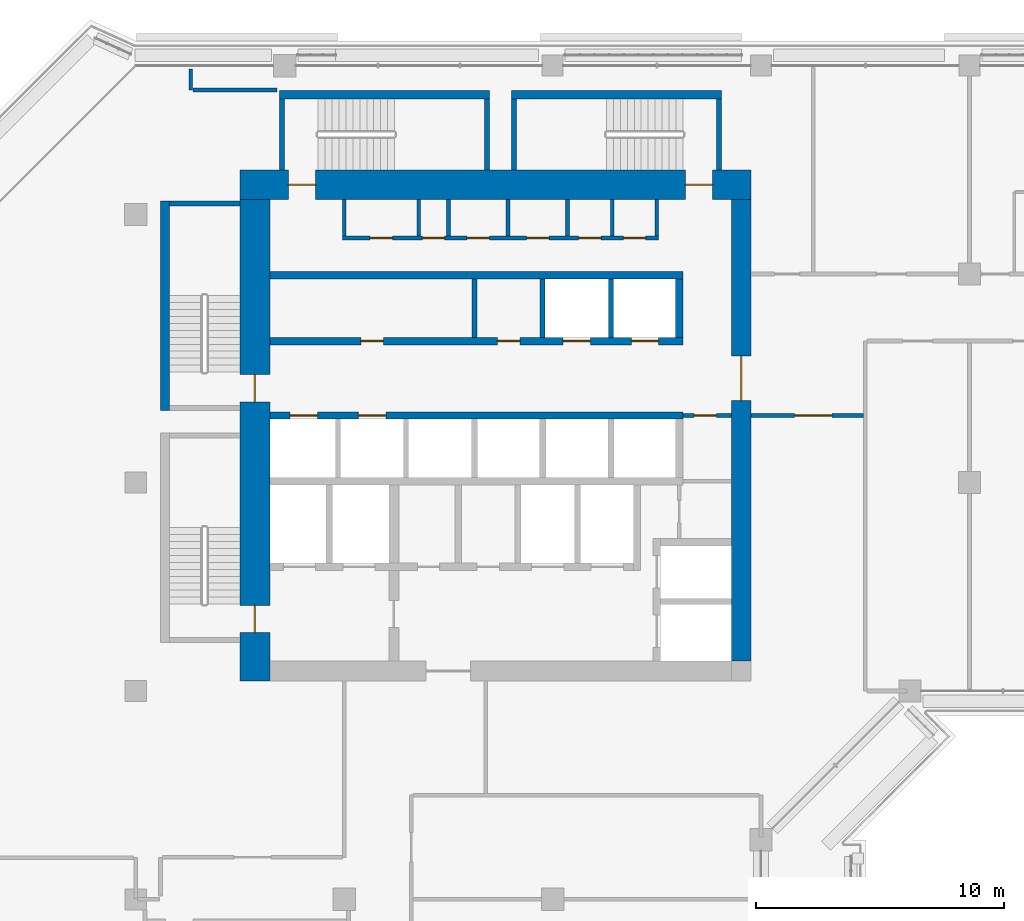
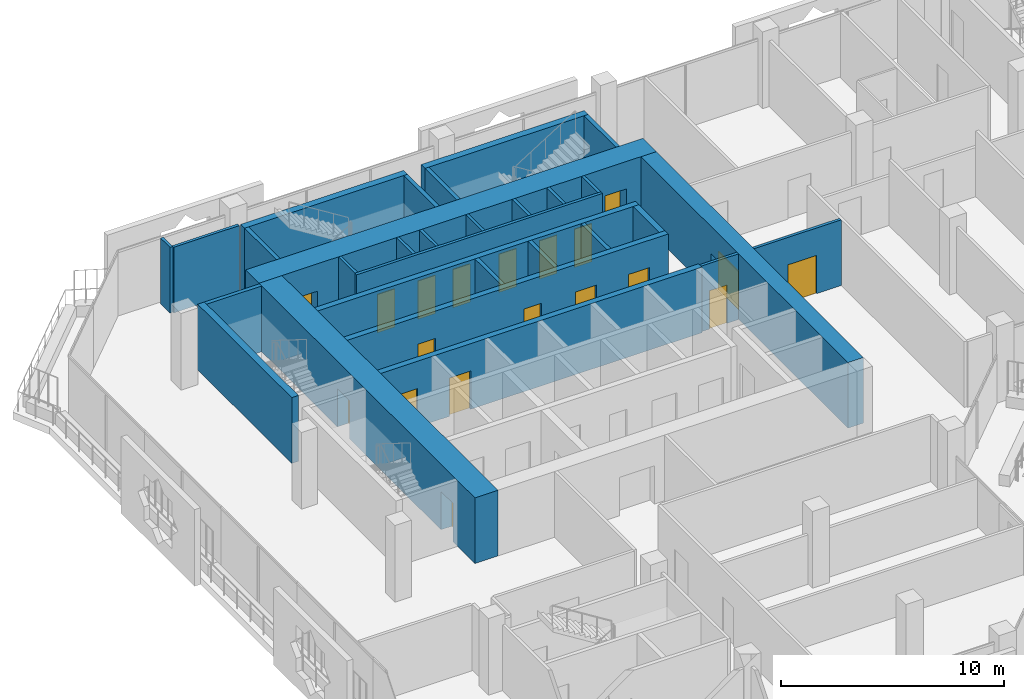
# One storey, part 11 of 20: 30 walls, 19 doors, 19 openings.
"""IFC4 building model written with IfcOpenShell, lengths in metres."""

from ifc_helpers import new_model, si_unit, direction, frame, frame_2d, origin, place, context, subcontext, project, spatial, rectangle, extrude, material, layer, layer_set, type_object, element, fill, save


model = new_model("IFC4")

# Units and contexts
model_context = context("Model", 3, precision=1e-05, world=origin(), true_north=direction((0.0, 1.0)))
body_context = subcontext(model_context, "Body", "Model", "MODEL_VIEW")
ifc_project = project(units=[si_unit("LENGTHUNIT", "METRE"), si_unit("AREAUNIT", "SQUARE_METRE"), si_unit("VOLUMEUNIT", "CUBIC_METRE"), si_unit("PLANEANGLEUNIT", "RADIAN"), si_unit("MASSUNIT", "GRAM", prefix="KILO")], contexts=[model_context])

# Site, building, storey
site_placement = place(None, origin())
site = spatial("IfcSite", under=ifc_project, at=site_placement, CompositionType="ELEMENT")
building_placement = place(site_placement, origin())
building = spatial("IfcBuilding", under=site, at=building_placement, Name="Kawkab Arch Medical Tower", CompositionType="ELEMENT")
storey_placement = place(building_placement, frame((0.0, 0.0, 239.0)))
storey = spatial("IfcBuildingStorey", under=building, at=storey_placement, Name="L55", CompositionType="ELEMENT", Elevation=239.0)

# Wall, openings, doors
ifc_material_1 = material(Name="Concrete C50/60", Category="concrete")
ifc_layer_1 = layer(ifc_material_1, 1.199951171875)
ifc_layer_set_1 = layer_set([ifc_layer_1], Name="Concrete C50/60")
wall_type_1 = type_object("IfcWallType", Name="Core ring wall 1200 C50/60", PredefinedType="SHEAR", material=ifc_layer_set_1)
wall_1_placement = place(storey_placement, frame((4.199951171875, -4.800048828125, 0.0), z_axis=(0.0, 0.0, 1.0), x_axis=(1.0, 0.0, 0.0)))
wall_1 = element("IfcWall", 1, at=wall_1_placement, inside=storey, type_object=wall_type_1, Name="L55 core wall", PredefinedType="SHEAR", context=body_context, shape_type="SweptSolid", body=[
    extrude(rectangle(XDim=20.60009765625, YDim=1.199951171875, at=frame_2d((10.300048828125, 0.0))), origin(), (0.0, 0.0, 1.0), 3.60009765625),
])
opening_1_placement = place(wall_1_placement, frame((1.949951171875, 0.0, 0.0)))
opening_1 = element("IfcOpeningElement", 2, at=opening_1_placement, cuts=wall_1, Name="Opening SD", PredefinedType="OPENING", context=body_context, shape_type="SweptSolid", body=[
    extrude(rectangle(XDim=1.10009765625, YDim=2.10009765625, at=frame_2d((0.550048828125, 1.050048828125))), frame((0.0, 0.60986328125, 0.0), z_axis=(0.0, -1.0, 0.0), x_axis=(1.0, 0.0, 0.0)), (0.0, 0.0, 1.0), 1.219970703125),
])
opening_2_placement = place(wall_1_placement, frame((17.949951171875, 0.0, 0.0)))
opening_2 = element("IfcOpeningElement", 3, at=opening_2_placement, cuts=wall_1, Name="Opening SD", PredefinedType="OPENING", context=body_context, shape_type="SweptSolid", body=[
    extrude(rectangle(XDim=1.10009765625, YDim=2.10009765625, at=frame_2d((0.550048828125, 1.050048828125))), frame((0.0, 0.60986328125, 0.0), z_axis=(0.0, -1.0, 0.0), x_axis=(1.0, 0.0, 0.0)), (0.0, 0.0, 1.0), 1.219970703125),
])
ifc_material_2 = material(Name="Hollow metal fire door leaf")
door_type_1 = type_object("IfcDoorType", Name="Exit stair door 1100", OperationType="SINGLE_SWING_LEFT", PredefinedType="DOOR", material=ifc_material_2)
door_1_placement = place(opening_1_placement, origin())
door_1 = element("IfcDoor", 4, at=door_1_placement, inside=storey, type_object=door_type_1, Name="L55 Exit stair ST3 door", OperationType="SINGLE_SWING_LEFT", OverallHeight=2.10009765625, OverallWidth=1.10009765625, PredefinedType="DOOR", context=body_context, shape_type="SweptSolid", body=[
    extrude(rectangle(XDim=1.10009765625, YDim=2.10009765625, at=frame_2d((0.550048828125, 1.050048828125))), frame((0.0, 0.02490234375, 0.0), z_axis=(0.0, -1.0, 0.0), x_axis=(1.0, 0.0, 0.0)), (0.0, 0.0, 1.0), 0.050048828125),
])
fill(opening_1, door_1)
door_2_placement = place(opening_2_placement, origin())
door_2 = element("IfcDoor", 5, at=door_2_placement, inside=storey, type_object=door_type_1, Name="L55 Exit stair ST4 door", OperationType="SINGLE_SWING_LEFT", OverallHeight=2.10009765625, OverallWidth=1.10009765625, PredefinedType="DOOR", context=body_context, shape_type="SweptSolid", body=[
    extrude(rectangle(XDim=1.10009765625, YDim=2.10009765625, at=frame_2d((0.550048828125, 1.050048828125))), frame((0.0, 0.02490234375, 0.0), z_axis=(0.0, -1.0, 0.0), x_axis=(1.0, 0.0, 0.0)), (0.0, 0.0, 1.0), 0.050048828125),
])
fill(opening_2, door_2)

wall_2_placement = place(storey_placement, frame((4.800048828125, -24.800048828125, 0.0), z_axis=(0.0, 0.0, 1.0), x_axis=(0.0, 1.0, 0.0)))
wall_2 = element("IfcWall", 6, at=wall_2_placement, inside=storey, type_object=wall_type_1, Name="L55 core wall", PredefinedType="SHEAR", context=body_context, shape_type="SweptSolid", body=[
    extrude(rectangle(XDim=19.400146484375, YDim=1.199951171875, at=frame_2d((9.7001953125, 0.0))), origin(), (0.0, 0.0, 1.0), 3.60009765625),
])
opening_3_placement = place(wall_2_placement, frame((11.25, 0.0, 0.0)))
opening_3 = element("IfcOpeningElement", 7, at=opening_3_placement, cuts=wall_2, Name="Opening SD", PredefinedType="OPENING", context=body_context, shape_type="SweptSolid", body=[
    extrude(rectangle(XDim=1.10009765625, YDim=2.10009765625, at=frame_2d((0.550048828125, 1.050048828125))), frame((0.0, 0.60986328125, 0.0), z_axis=(0.0, -1.0, 0.0), x_axis=(1.0, 0.0, 0.0)), (0.0, 0.0, 1.0), 1.219970703125),
])
opening_4_placement = place(wall_2_placement, frame((1.949951171875, 0.0, 0.0)))
opening_4 = element("IfcOpeningElement", 8, at=opening_4_placement, cuts=wall_2, Name="Opening SD", PredefinedType="OPENING", context=body_context, shape_type="SweptSolid", body=[
    extrude(rectangle(XDim=1.10009765625, YDim=2.10009765625, at=frame_2d((0.550048828125, 1.050048828125))), frame((0.0, 0.60986328125, 0.0), z_axis=(0.0, -1.0, 0.0), x_axis=(1.0, 0.0, 0.0)), (0.0, 0.0, 1.0), 1.219970703125),
])
door_3_placement = place(opening_3_placement, origin())
door_3 = element("IfcDoor", 9, at=door_3_placement, inside=storey, type_object=door_type_1, Name="L55 Exit stair ST1 door", OperationType="SINGLE_SWING_LEFT", OverallHeight=2.10009765625, OverallWidth=1.10009765625, PredefinedType="DOOR", context=body_context, shape_type="SweptSolid", body=[
    extrude(rectangle(XDim=1.10009765625, YDim=2.10009765625, at=frame_2d((0.550048828125, 1.050048828125))), frame((0.0, 0.02490234375, 0.0), z_axis=(0.0, -1.0, 0.0), x_axis=(1.0, 0.0, 0.0)), (0.0, 0.0, 1.0), 0.050048828125),
])
fill(opening_3, door_3)
door_4_placement = place(opening_4_placement, origin())
door_4 = element("IfcDoor", 10, at=door_4_placement, inside=storey, type_object=door_type_1, Name="L55 Exit stair ST2 door", OperationType="SINGLE_SWING_LEFT", OverallHeight=2.10009765625, OverallWidth=1.10009765625, PredefinedType="DOOR", context=body_context, shape_type="SweptSolid", body=[
    extrude(rectangle(XDim=1.10009765625, YDim=2.10009765625, at=frame_2d((0.550048828125, 1.050048828125))), frame((0.0, 0.02490234375, 0.0), z_axis=(0.0, -1.0, 0.0), x_axis=(1.0, 0.0, 0.0)), (0.0, 0.0, 1.0), 0.050048828125),
])
fill(opening_4, door_4)

# Wall, opening, door
ifc_material_3 = material(Name="Concrete C50/60", Category="concrete")
ifc_layer_2 = layer(ifc_material_3, 0.800048828125)
ifc_layer_set_2 = layer_set([ifc_layer_2], Name="Concrete C50/60")
wall_type_2 = type_object("IfcWallType", Name="Core ring wall 800 C50/60", PredefinedType="SHEAR", material=ifc_layer_set_2)
wall_3_placement = place(storey_placement, frame((24.39990234375, -24.0, 0.0), z_axis=(0.0, 0.0, 1.0), x_axis=(0.0, 1.0, 0.0)))
wall_3 = element("IfcWall", 11, at=wall_3_placement, inside=storey, type_object=wall_type_2, Name="L55 core wall", PredefinedType="SHEAR", context=body_context, shape_type="SweptSolid", body=[
    extrude(rectangle(XDim=18.60009765625, YDim=0.800048828125, at=frame_2d((9.300048828125, 0.0))), origin(), (0.0, 0.0, 1.0), 3.60009765625),
])
opening_5_placement = place(wall_3_placement, frame((10.5, 0.0, 0.0)))
opening_5 = element("IfcOpeningElement", 12, at=opening_5_placement, cuts=wall_3, Name="Opening PD", PredefinedType="OPENING", context=body_context, shape_type="SweptSolid", body=[
    extrude(rectangle(XDim=1.800048828125, YDim=2.10009765625, at=frame_2d((0.89990234375, 1.050048828125))), frame((0.0, 0.409912109375, 0.0), z_axis=(0.0, -1.0, 0.0), x_axis=(1.0, 0.0, 0.0)), (0.0, 0.0, 1.0), 0.820068359375),
])
ifc_material_4 = material(Name="Hollow metal fire door leaf")
door_type_2 = type_object("IfcDoorType", Name="Core entrance doors 1800", OperationType="DOUBLE_DOOR_SINGLE_SWING", PredefinedType="DOOR", material=ifc_material_4)
door_5_placement = place(opening_5_placement, origin())
door_5 = element("IfcDoor", 13, at=door_5_placement, inside=storey, type_object=door_type_2, Name="L55 East entrance doors", OperationType="DOUBLE_DOOR_SINGLE_SWING", OverallHeight=2.10009765625, OverallWidth=1.800048828125, PredefinedType="DOOR", context=body_context, shape_type="SweptSolid", body=[
    extrude(rectangle(XDim=1.800048828125, YDim=2.10009765625, at=frame_2d((0.89990234375, 1.050048828125))), frame((0.0, 0.02490234375, 0.0), z_axis=(0.0, -1.0, 0.0), x_axis=(1.0, 0.0, 0.0)), (0.0, 0.0, 1.0), 0.050048828125),
])
fill(opening_5, door_5)

ifc_material_5 = material(Name="Gypsum board on steel studs", Category="steel")
ifc_layer_3 = layer(ifc_material_5, 0.14990234375)
ifc_layer_set_3 = layer_set([ifc_layer_3], Name="Gypsum board on steel studs")
wall_type_3 = type_object("IfcWallType", Name="Core room partition 150", PredefinedType="PARTITIONING", material=ifc_layer_set_3)
wall_4_placement = place(storey_placement, frame((22.050048828125, -14.10009765625, 0.0), z_axis=(0.0, 0.0, 1.0), x_axis=(1.0, 0.0, 0.0)))
wall_4 = element("IfcWall", 14, at=wall_4_placement, inside=storey, type_object=wall_type_3, Name="L55 core room partition", PredefinedType="PARTITIONING", context=body_context, shape_type="SweptSolid", body=[
    extrude(rectangle(XDim=1.949951171875, YDim=0.14990234375, at=frame_2d((0.97509765625, 0.0))), origin(), (0.0, 0.0, 1.0), 3.60009765625),
])
opening_6_placement = place(wall_4_placement, frame((0.449951171875, 0.0, 0.0)))
opening_6 = element("IfcOpeningElement", 15, at=opening_6_placement, cuts=wall_4, Name="Opening RD", PredefinedType="OPENING", context=body_context, shape_type="SweptSolid", body=[
    extrude(rectangle(XDim=0.89990234375, YDim=2.10009765625, at=frame_2d((0.449951171875, 1.050048828125))), frame((0.0, 0.0849609375, 0.0), z_axis=(0.0, -1.0, 0.0), x_axis=(1.0, 0.0, 0.0)), (0.0, 0.0, 1.0), 0.169921875),
])
ifc_material_6 = material(Name="Hollow metal fire door leaf")
door_type_3 = type_object("IfcDoorType", Name="Core room door 900", OperationType="SINGLE_SWING_LEFT", PredefinedType="DOOR", material=ifc_material_6)
door_6_placement = place(opening_6_placement, origin())
door_6 = element("IfcDoor", 16, at=door_6_placement, inside=storey, type_object=door_type_3, Name="L55 Equipment store door", OperationType="SINGLE_SWING_LEFT", OverallHeight=2.10009765625, OverallWidth=0.89990234375, PredefinedType="DOOR", context=body_context, shape_type="SweptSolid", body=[
    extrude(rectangle(XDim=0.89990234375, YDim=2.10009765625, at=frame_2d((0.449951171875, 1.050048828125))), frame((0.0, 0.02490234375, 0.0), z_axis=(0.0, -1.0, 0.0), x_axis=(1.0, 0.0, 0.0)), (0.0, 0.0, 1.0), 0.050048828125),
])
fill(opening_6, door_6)

# Wall, openings, doors
wall_5_placement = place(storey_placement, frame((8.324951171875, -6.949951171875, 0.0), z_axis=(0.0, 0.0, 1.0), x_axis=(1.0, 0.0, 0.0)))
wall_5 = element("IfcWall", 17, at=wall_5_placement, inside=storey, type_object=wall_type_3, Name="L55 core room partition", PredefinedType="PARTITIONING", context=body_context, shape_type="SweptSolid", body=[
    extrude(rectangle(XDim=12.75, YDim=0.14990234375, at=frame_2d((6.375, 0.0))), origin(), (0.0, 0.0, 1.0), 3.60009765625),
])
opening_7_placement = place(wall_5_placement, frame((1.125, 0.0, 0.0)))
opening_7 = element("IfcOpeningElement", 18, at=opening_7_placement, cuts=wall_5, Name="Opening RD", PredefinedType="OPENING", context=body_context, shape_type="SweptSolid", body=[
    extrude(rectangle(XDim=0.89990234375, YDim=2.10009765625, at=frame_2d((0.449951171875, 1.050048828125))), frame((0.0, 0.0849609375, 0.0), z_axis=(0.0, -1.0, 0.0), x_axis=(1.0, 0.0, 0.0)), (0.0, 0.0, 1.0), 0.169921875),
])
opening_8_placement = place(wall_5_placement, frame((3.22509765625, 0.0, 0.0)))
opening_8 = element("IfcOpeningElement", 19, at=opening_8_placement, cuts=wall_5, Name="Opening RD", PredefinedType="OPENING", context=body_context, shape_type="SweptSolid", body=[
    extrude(rectangle(XDim=0.89990234375, YDim=2.10009765625, at=frame_2d((0.449951171875, 1.050048828125))), frame((0.0, 0.0849609375, 0.0), z_axis=(0.0, -1.0, 0.0), x_axis=(1.0, 0.0, 0.0)), (0.0, 0.0, 1.0), 0.169921875),
])
opening_9_placement = place(wall_5_placement, frame((5.02490234375, 0.0, 0.0)))
opening_9 = element("IfcOpeningElement", 20, at=opening_9_placement, cuts=wall_5, Name="Opening RD", PredefinedType="OPENING", context=body_context, shape_type="SweptSolid", body=[
    extrude(rectangle(XDim=0.89990234375, YDim=2.10009765625, at=frame_2d((0.449951171875, 1.050048828125))), frame((0.0, 0.0849609375, 0.0), z_axis=(0.0, -1.0, 0.0), x_axis=(1.0, 0.0, 0.0)), (0.0, 0.0, 1.0), 0.169921875),
])
opening_10_placement = place(wall_5_placement, frame((7.425048828125, 0.0, 0.0)))
opening_10 = element("IfcOpeningElement", 21, at=opening_10_placement, cuts=wall_5, Name="Opening RD", PredefinedType="OPENING", context=body_context, shape_type="SweptSolid", body=[
    extrude(rectangle(XDim=0.89990234375, YDim=2.10009765625, at=frame_2d((0.449951171875, 1.050048828125))), frame((0.0, 0.0849609375, 0.0), z_axis=(0.0, -1.0, 0.0), x_axis=(1.0, 0.0, 0.0)), (0.0, 0.0, 1.0), 0.169921875),
])
opening_11_placement = place(wall_5_placement, frame((9.52490234375, 0.0, 0.0)))
opening_11 = element("IfcOpeningElement", 22, at=opening_11_placement, cuts=wall_5, Name="Opening RD", PredefinedType="OPENING", context=body_context, shape_type="SweptSolid", body=[
    extrude(rectangle(XDim=0.89990234375, YDim=2.10009765625, at=frame_2d((0.449951171875, 1.050048828125))), frame((0.0, 0.0849609375, 0.0), z_axis=(0.0, -1.0, 0.0), x_axis=(1.0, 0.0, 0.0)), (0.0, 0.0, 1.0), 0.169921875),
])
opening_12_placement = place(wall_5_placement, frame((11.324951171875, 0.0, 0.0)))
opening_12 = element("IfcOpeningElement", 23, at=opening_12_placement, cuts=wall_5, Name="Opening RD", PredefinedType="OPENING", context=body_context, shape_type="SweptSolid", body=[
    extrude(rectangle(XDim=0.89990234375, YDim=2.10009765625, at=frame_2d((0.449951171875, 1.050048828125))), frame((0.0, 0.0849609375, 0.0), z_axis=(0.0, -1.0, 0.0), x_axis=(1.0, 0.0, 0.0)), (0.0, 0.0, 1.0), 0.169921875),
])
door_7_placement = place(opening_7_placement, origin())
door_7 = element("IfcDoor", 24, at=door_7_placement, inside=storey, type_object=door_type_3, Name="L55 General store door", OperationType="SINGLE_SWING_LEFT", OverallHeight=2.10009765625, OverallWidth=0.89990234375, PredefinedType="DOOR", context=body_context, shape_type="SweptSolid", body=[
    extrude(rectangle(XDim=0.89990234375, YDim=2.10009765625, at=frame_2d((0.449951171875, 1.050048828125))), frame((0.0, 0.02490234375, 0.0), z_axis=(0.0, -1.0, 0.0), x_axis=(1.0, 0.0, 0.0)), (0.0, 0.0, 1.0), 0.050048828125),
])
fill(opening_7, door_7)
door_8_placement = place(opening_8_placement, origin())
door_8 = element("IfcDoor", 25, at=door_8_placement, inside=storey, type_object=door_type_3, Name="L55 Electrical riser room door", OperationType="SINGLE_SWING_LEFT", OverallHeight=2.10009765625, OverallWidth=0.89990234375, PredefinedType="DOOR", context=body_context, shape_type="SweptSolid", body=[
    extrude(rectangle(XDim=0.89990234375, YDim=2.10009765625, at=frame_2d((0.449951171875, 1.050048828125))), frame((0.0, 0.02490234375, 0.0), z_axis=(0.0, -1.0, 0.0), x_axis=(1.0, 0.0, 0.0)), (0.0, 0.0, 1.0), 0.050048828125),
])
fill(opening_8, door_8)
door_9_placement = place(opening_9_placement, origin())
door_9 = element("IfcDoor", 26, at=door_9_placement, inside=storey, type_object=door_type_3, Name="L55 Housekeeping store door", OperationType="SINGLE_SWING_LEFT", OverallHeight=2.10009765625, OverallWidth=0.89990234375, PredefinedType="DOOR", context=body_context, shape_type="SweptSolid", body=[
    extrude(rectangle(XDim=0.89990234375, YDim=2.10009765625, at=frame_2d((0.449951171875, 1.050048828125))), frame((0.0, 0.02490234375, 0.0), z_axis=(0.0, -1.0, 0.0), x_axis=(1.0, 0.0, 0.0)), (0.0, 0.0, 1.0), 0.050048828125),
])
fill(opening_9, door_9)
door_10_placement = place(opening_10_placement, origin())
door_10 = element("IfcDoor", 27, at=door_10_placement, inside=storey, type_object=door_type_3, Name="L55 UPS room door", OperationType="SINGLE_SWING_LEFT", OverallHeight=2.10009765625, OverallWidth=0.89990234375, PredefinedType="DOOR", context=body_context, shape_type="SweptSolid", body=[
    extrude(rectangle(XDim=0.89990234375, YDim=2.10009765625, at=frame_2d((0.449951171875, 1.050048828125))), frame((0.0, 0.02490234375, 0.0), z_axis=(0.0, -1.0, 0.0), x_axis=(1.0, 0.0, 0.0)), (0.0, 0.0, 1.0), 0.050048828125),
])
fill(opening_10, door_10)
door_11_placement = place(opening_11_placement, origin())
door_11 = element("IfcDoor", 28, at=door_11_placement, inside=storey, type_object=door_type_3, Name="L55 Comms room door", OperationType="SINGLE_SWING_LEFT", OverallHeight=2.10009765625, OverallWidth=0.89990234375, PredefinedType="DOOR", context=body_context, shape_type="SweptSolid", body=[
    extrude(rectangle(XDim=0.89990234375, YDim=2.10009765625, at=frame_2d((0.449951171875, 1.050048828125))), frame((0.0, 0.02490234375, 0.0), z_axis=(0.0, -1.0, 0.0), x_axis=(1.0, 0.0, 0.0)), (0.0, 0.0, 1.0), 0.050048828125),
])
fill(opening_11, door_11)
door_12_placement = place(opening_12_placement, origin())
door_12 = element("IfcDoor", 29, at=door_12_placement, inside=storey, type_object=door_type_3, Name="L55 Electrical riser room door", OperationType="SINGLE_SWING_LEFT", OverallHeight=2.10009765625, OverallWidth=0.89990234375, PredefinedType="DOOR", context=body_context, shape_type="SweptSolid", body=[
    extrude(rectangle(XDim=0.89990234375, YDim=2.10009765625, at=frame_2d((0.449951171875, 1.050048828125))), frame((0.0, 0.02490234375, 0.0), z_axis=(0.0, -1.0, 0.0), x_axis=(1.0, 0.0, 0.0)), (0.0, 0.0, 1.0), 0.050048828125),
])
fill(opening_12, door_12)

# Walls
for number, where, z_axis, x_axis, name in (
    (30, (8.39990234375, -6.875, 0.0), (0.0, 0.0, 1.0), (0.0, 1.0, 0.0), "L55 core room partition"),
    (31, (11.39990234375, -6.875, 0.0), (0.0, 0.0, 1.0), (0.0, 1.0, 0.0), "L55 core room partition"),
    (32, (12.60009765625, -6.875, 0.0), (0.0, 0.0, 1.0), (0.0, 1.0, 0.0), "L55 core room partition"),
    (33, (15.0, -6.875, 0.0), (0.0, 0.0, 1.0), (0.0, 1.0, 0.0), "L55 core room partition"),
    (34, (17.39990234375, -6.875, 0.0), (0.0, 0.0, 1.0), (0.0, 1.0, 0.0), "L55 core room partition"),
    (35, (19.199951171875, -6.875, 0.0), (0.0, 0.0, 1.0), (0.0, 1.0, 0.0), "L55 core room partition"),
    (36, (21.0, -6.875, 0.0), (0.0, 0.0, 1.0), (0.0, 1.0, 0.0), "L55 core room partition"),
):
    element("IfcWall", number, at=place(storey_placement, frame(where, z_axis=z_axis, x_axis=x_axis)), inside=storey, type_object=wall_type_3, Name=name, PredefinedType="PARTITIONING", context=body_context, shape_type="SweptSolid", body=[
        extrude(rectangle(XDim=1.47509765625, YDim=0.14990234375, at=frame_2d((0.737548828125, 0.0))), origin(), (0.0, 0.0, 1.0), 3.60009765625),
    ])
ifc_material_7 = material(Name="Concrete C60/75", Category="concrete")
ifc_layer_4 = layer(ifc_material_7, 0.300048828125)
ifc_layer_set_4 = layer_set([ifc_layer_4], Name="Concrete C60/75")
wall_type_4 = type_object("IfcWallType", Name="Core shear wall 300 C60/75", PredefinedType="SHEAR", material=ifc_layer_set_4)
wall_6_placement = place(storey_placement, frame((5.39990234375, -8.449951171875, 0.0), z_axis=(0.0, 0.0, 1.0), x_axis=(1.0, 0.0, 0.0)))
element("IfcWall", 37, at=wall_6_placement, inside=storey, type_object=wall_type_4, Name="L55 core shear wall", PredefinedType="SHEAR", context=body_context, shape_type="SweptSolid", body=[
    extrude(rectangle(XDim=16.650146484375, YDim=0.300048828125, at=frame_2d((8.3251953125, 0.0))), origin(), (0.0, 0.0, 1.0), 3.60009765625),
])

# Wall, openings, doors
wall_7_placement = place(storey_placement, frame((5.39990234375, -11.10009765625, 0.0), z_axis=(0.0, 0.0, 1.0), x_axis=(1.0, 0.0, 0.0)))
wall_7 = element("IfcWall", 38, at=wall_7_placement, inside=storey, type_object=wall_type_4, Name="L55 core shear wall", PredefinedType="SHEAR", context=body_context, shape_type="SweptSolid", body=[
    extrude(rectangle(XDim=16.650146484375, YDim=0.300048828125, at=frame_2d((8.3251953125, 0.0))), origin(), (0.0, 0.0, 1.0), 3.60009765625),
])
opening_13_placement = place(wall_7_placement, frame((11.824951171875, 0.0, 0.0)))
opening_13 = element("IfcOpeningElement", 39, at=opening_13_placement, cuts=wall_7, Name="Opening LD1", PredefinedType="OPENING", context=body_context, shape_type="SweptSolid", body=[
    extrude(rectangle(XDim=1.10009765625, YDim=2.10009765625, at=frame_2d((0.550048828125, 1.050048828125))), frame((0.0, 0.159912109375, 0.0), z_axis=(0.0, -1.0, 0.0), x_axis=(1.0, 0.0, 0.0)), (0.0, 0.0, 1.0), 0.320068359375),
])
opening_14_placement = place(wall_7_placement, frame((14.574951171875, 0.0, 0.0)))
opening_14 = element("IfcOpeningElement", 40, at=opening_14_placement, cuts=wall_7, Name="Opening LD1", PredefinedType="OPENING", context=body_context, shape_type="SweptSolid", body=[
    extrude(rectangle(XDim=1.10009765625, YDim=2.10009765625, at=frame_2d((0.550048828125, 1.050048828125))), frame((0.0, 0.159912109375, 0.0), z_axis=(0.0, -1.0, 0.0), x_axis=(1.0, 0.0, 0.0)), (0.0, 0.0, 1.0), 0.320068359375),
])
opening_15_placement = place(wall_7_placement, frame((3.675048828125, 0.0, 0.0)))
opening_15 = element("IfcOpeningElement", 41, at=opening_15_placement, cuts=wall_7, Name="Opening RD", PredefinedType="OPENING", context=body_context, shape_type="SweptSolid", body=[
    extrude(rectangle(XDim=0.89990234375, YDim=2.10009765625, at=frame_2d((0.449951171875, 1.050048828125))), frame((0.0, 0.159912109375, 0.0), z_axis=(0.0, -1.0, 0.0), x_axis=(1.0, 0.0, 0.0)), (0.0, 0.0, 1.0), 0.320068359375),
])
opening_16_placement = place(wall_7_placement, frame((9.175048828125, 0.0, 0.0)))
opening_16 = element("IfcOpeningElement", 42, at=opening_16_placement, cuts=wall_7, Name="Opening RD", PredefinedType="OPENING", context=body_context, shape_type="SweptSolid", body=[
    extrude(rectangle(XDim=0.89990234375, YDim=2.10009765625, at=frame_2d((0.449951171875, 1.050048828125))), frame((0.0, 0.159912109375, 0.0), z_axis=(0.0, -1.0, 0.0), x_axis=(1.0, 0.0, 0.0)), (0.0, 0.0, 1.0), 0.320068359375),
])
door_13_placement = place(opening_15_placement, origin())
door_13 = element("IfcDoor", 43, at=door_13_placement, inside=storey, type_object=door_type_3, Name="L55 Clean utility room door", OperationType="SINGLE_SWING_LEFT", OverallHeight=2.10009765625, OverallWidth=0.89990234375, PredefinedType="DOOR", context=body_context, shape_type="SweptSolid", body=[
    extrude(rectangle(XDim=0.89990234375, YDim=2.10009765625, at=frame_2d((0.449951171875, 1.050048828125))), frame((0.0, 0.02490234375, 0.0), z_axis=(0.0, -1.0, 0.0), x_axis=(1.0, 0.0, 0.0)), (0.0, 0.0, 1.0), 0.050048828125),
])
fill(opening_15, door_13)
door_14_placement = place(opening_16_placement, origin())
door_14 = element("IfcDoor", 44, at=door_14_placement, inside=storey, type_object=door_type_3, Name="L55 General store door", OperationType="SINGLE_SWING_LEFT", OverallHeight=2.10009765625, OverallWidth=0.89990234375, PredefinedType="DOOR", context=body_context, shape_type="SweptSolid", body=[
    extrude(rectangle(XDim=0.89990234375, YDim=2.10009765625, at=frame_2d((0.449951171875, 1.050048828125))), frame((0.0, 0.02490234375, 0.0), z_axis=(0.0, -1.0, 0.0), x_axis=(1.0, 0.0, 0.0)), (0.0, 0.0, 1.0), 0.050048828125),
])
fill(opening_16, door_14)
ifc_material_8 = material(Name="Stainless steel lift door leaf", Category="steel")
door_type_4 = type_object("IfcDoorType", Name="Lift landing door 1100", OperationType="DOUBLE_DOOR_SLIDING", PredefinedType="DOOR", material=ifc_material_8)
door_15_placement = place(opening_13_placement, origin())
door_15 = element("IfcDoor", 45, at=door_15_placement, inside=storey, type_object=door_type_4, Name="L55 Lift landing door MP1", OperationType="DOUBLE_DOOR_SLIDING", OverallHeight=2.10009765625, OverallWidth=1.10009765625, PredefinedType="DOOR", context=body_context, shape_type="SweptSolid", body=[
    extrude(rectangle(XDim=1.10009765625, YDim=2.10009765625, at=frame_2d((0.550048828125, 1.050048828125))), frame((0.0, 0.02490234375, 0.0), z_axis=(0.0, -1.0, 0.0), x_axis=(1.0, 0.0, 0.0)), (0.0, 0.0, 1.0), 0.050048828125),
])
fill(opening_13, door_15)
door_16_placement = place(opening_14_placement, origin())
door_16 = element("IfcDoor", 46, at=door_16_placement, inside=storey, type_object=door_type_4, Name="L55 Lift landing door MP2", OperationType="DOUBLE_DOOR_SLIDING", OverallHeight=2.10009765625, OverallWidth=1.10009765625, PredefinedType="DOOR", context=body_context, shape_type="SweptSolid", body=[
    extrude(rectangle(XDim=1.10009765625, YDim=2.10009765625, at=frame_2d((0.550048828125, 1.050048828125))), frame((0.0, 0.02490234375, 0.0), z_axis=(0.0, -1.0, 0.0), x_axis=(1.0, 0.0, 0.0)), (0.0, 0.0, 1.0), 0.050048828125),
])
fill(opening_14, door_16)

wall_8_placement = place(storey_placement, frame((5.39990234375, -14.10009765625, 0.0), z_axis=(0.0, 0.0, 1.0), x_axis=(1.0, 0.0, 0.0)))
wall_8 = element("IfcWall", 47, at=wall_8_placement, inside=storey, type_object=wall_type_4, Name="L55 core shear wall", PredefinedType="SHEAR", context=body_context, shape_type="SweptSolid", body=[
    extrude(rectangle(XDim=16.650146484375, YDim=0.300048828125, at=frame_2d((8.3251953125, 0.0))), origin(), (0.0, 0.0, 1.0), 3.60009765625),
])
opening_17_placement = place(wall_8_placement, frame((0.824951171875, 0.0, 0.0)))
opening_17 = element("IfcOpeningElement", 48, at=opening_17_placement, cuts=wall_8, Name="Opening LD1", PredefinedType="OPENING", context=body_context, shape_type="SweptSolid", body=[
    extrude(rectangle(XDim=1.10009765625, YDim=2.10009765625, at=frame_2d((0.550048828125, 1.050048828125))), frame((0.0, 0.159912109375, 0.0), z_axis=(0.0, -1.0, 0.0), x_axis=(1.0, 0.0, 0.0)), (0.0, 0.0, 1.0), 0.320068359375),
])
opening_18_placement = place(wall_8_placement, frame((3.574951171875, 0.0, 0.0)))
opening_18 = element("IfcOpeningElement", 49, at=opening_18_placement, cuts=wall_8, Name="Opening LD1", PredefinedType="OPENING", context=body_context, shape_type="SweptSolid", body=[
    extrude(rectangle(XDim=1.10009765625, YDim=2.10009765625, at=frame_2d((0.550048828125, 1.050048828125))), frame((0.0, 0.159912109375, 0.0), z_axis=(0.0, -1.0, 0.0), x_axis=(1.0, 0.0, 0.0)), (0.0, 0.0, 1.0), 0.320068359375),
])
door_17_placement = place(opening_17_placement, origin())
door_17 = element("IfcDoor", 50, at=door_17_placement, inside=storey, type_object=door_type_4, Name="L55 Lift landing door MP3", OperationType="DOUBLE_DOOR_SLIDING", OverallHeight=2.10009765625, OverallWidth=1.10009765625, PredefinedType="DOOR", context=body_context, shape_type="SweptSolid", body=[
    extrude(rectangle(XDim=1.10009765625, YDim=2.10009765625, at=frame_2d((0.550048828125, 1.050048828125))), frame((0.0, 0.02490234375, 0.0), z_axis=(0.0, -1.0, 0.0), x_axis=(1.0, 0.0, 0.0)), (0.0, 0.0, 1.0), 0.050048828125),
])
fill(opening_17, door_17)
door_18_placement = place(opening_18_placement, origin())
door_18 = element("IfcDoor", 51, at=door_18_placement, inside=storey, type_object=door_type_4, Name="L55 Lift landing door MP4", OperationType="DOUBLE_DOOR_SLIDING", OverallHeight=2.10009765625, OverallWidth=1.10009765625, PredefinedType="DOOR", context=body_context, shape_type="SweptSolid", body=[
    extrude(rectangle(XDim=1.10009765625, YDim=2.10009765625, at=frame_2d((0.550048828125, 1.050048828125))), frame((0.0, 0.02490234375, 0.0), z_axis=(0.0, -1.0, 0.0), x_axis=(1.0, 0.0, 0.0)), (0.0, 0.0, 1.0), 0.050048828125),
])
fill(opening_18, door_18)

# Walls
wall_9_placement = place(storey_placement, frame((21.89990234375, -10.949951171875, 0.0), z_axis=(0.0, 0.0, 1.0), x_axis=(0.0, 1.0, 0.0)))
element("IfcWall", 52, at=wall_9_placement, inside=storey, type_object=wall_type_4, Name="L55 core shear wall", PredefinedType="SHEAR", context=body_context, shape_type="SweptSolid", body=[
    extrude(rectangle(XDim=2.349853515625, YDim=0.300048828125, at=frame_2d((1.1748046875, 0.0))), origin(), (0.0, 0.0, 1.0), 3.60009765625),
])
ifc_material_9 = material(Name="Dense concrete blockwork", Category="masonry")
ifc_layer_5 = layer(ifc_material_9, 0.199951171875)
ifc_layer_set_5 = layer_set([ifc_layer_5], Name="Dense concrete blockwork")
wall_type_5 = type_object("IfcWallType", Name="Lift shaft partition 200", PredefinedType="PARTITIONING", material=ifc_layer_set_5)
for number, where, z_axis, x_axis, name in (
    (53, (13.64990234375, -10.949951171875, 0.0), (0.0, 0.0, 1.0), (0.0, 1.0, 0.0), "L55 lift shaft partition"),
    (54, (16.39990234375, -10.949951171875, 0.0), (0.0, 0.0, 1.0), (0.0, 1.0, 0.0), "L55 lift shaft partition"),
    (55, (19.14990234375, -10.949951171875, 0.0), (0.0, 0.0, 1.0), (0.0, 1.0, 0.0), "L55 lift shaft partition"),
):
    element("IfcWall", number, at=place(storey_placement, frame(where, z_axis=z_axis, x_axis=x_axis)), inside=storey, type_object=wall_type_5, Name=name, PredefinedType="PARTITIONING", context=body_context, shape_type="SweptSolid", body=[
        extrude(rectangle(XDim=2.349853515625, YDim=0.199951171875, at=frame_2d((1.1748046875, 0.0))), origin(), (0.0, 0.0, 1.0), 3.60009765625),
    ])

# Wall, opening, door
ifc_material_10 = material(Name="Gypsum board partition on steel studs, mineral wool", Category="steel")
ifc_layer_6 = layer(ifc_material_10, 0.14990234375)
ifc_layer_set_6 = layer_set([ifc_layer_6], Name="Gypsum board partition on steel studs, mineral wool")
wall_type_6 = type_object("IfcWallType", Name="Partition 150", PredefinedType="PARTITIONING", material=ifc_layer_set_6)
wall_10_placement = place(storey_placement, frame((24.800048828125, -14.10009765625, 0.0), z_axis=(0.0, 0.0, 1.0), x_axis=(1.0, 0.0, 0.0)))
wall_10 = element("IfcWall", 56, at=wall_10_placement, inside=storey, type_object=wall_type_6, Name="Partition 150 w020", PredefinedType="PARTITIONING", context=body_context, shape_type="SweptSolid", body=[
    extrude(rectangle(XDim=4.52490234375, YDim=0.14990234375, at=frame_2d((2.262451171875, 0.0))), origin(), (0.0, 0.0, 1.0), 3.60009765625),
])
opening_19_placement = place(wall_10_placement, frame((1.75, 0.0, 0.0)))
opening_19 = element("IfcOpeningElement", 57, at=opening_19_placement, cuts=wall_10, Name="Opening W55-001", PredefinedType="OPENING", context=body_context, shape_type="SweptSolid", body=[
    extrude(rectangle(XDim=1.5, YDim=2.10009765625, at=frame_2d((0.75, 1.050048828125))), frame((0.0, 0.0849609375, 0.0), z_axis=(0.0, -1.0, 0.0), x_axis=(1.0, 0.0, 0.0)), (0.0, 0.0, 1.0), 0.169921875),
])
ifc_material_11 = material(Name="Hollow metal door leaf")
door_type_5 = type_object("IfcDoorType", Name="Double door 1500x2100 FD30S", OperationType="NOTDEFINED", PredefinedType="DOOR", material=ifc_material_11)
door_19_placement = place(opening_19_placement, origin())
door_19 = element("IfcDoor", 58, at=door_19_placement, inside=storey, type_object=door_type_5, Name="Door W55-001", OperationType="DOUBLE_DOOR_SINGLE_SWING", OverallHeight=2.10009765625, OverallWidth=1.5, PredefinedType="DOOR", context=body_context, shape_type="SweptSolid", body=[
    extrude(rectangle(XDim=1.5, YDim=2.10009765625, at=frame_2d((0.75, 1.050048828125))), frame((0.0, 0.02490234375, 0.0), z_axis=(0.0, -1.0, 0.0), x_axis=(1.0, 0.0, 0.0)), (0.0, 0.0, 1.0), 0.050048828125),
])
fill(opening_19, door_19)

# Walls
wall_11_placement = place(storey_placement, frame((2.297119140625, -0.97998046875, 0.0), z_axis=(0.0, 0.0, 1.0), x_axis=(1.0, 0.0, 0.0)))
element("IfcWall", 59, at=wall_11_placement, inside=storey, type_object=wall_type_6, Name="Partition 150 w025", PredefinedType="PARTITIONING", context=body_context, shape_type="SweptSolid", body=[
    extrude(rectangle(XDim=3.40283203125, YDim=0.14990234375, at=frame_2d((1.701416015625, 0.0))), origin(), (0.0, 0.0, 1.0), 3.60009765625),
])
wall_12_placement = place(storey_placement, frame((2.219970703125, -0.97802734375, 0.0), z_axis=(0.0, 0.0, 1.0), x_axis=(0.0, 1.0, 0.0)))
element("IfcWall", 60, at=wall_12_placement, inside=storey, type_object=wall_type_6, Name="Partition 150 w030", PredefinedType="PARTITIONING", context=body_context, shape_type="SweptSolid", body=[
    extrude(rectangle(XDim=0.843017578125, YDim=0.14990234375, at=frame_2d((0.42138671875, 0.0))), origin(), (0.0, 0.0, 1.0), 3.60009765625),
])
ifc_material_12 = material(Name="Concrete C50/60", Category="concrete")
ifc_layer_7 = layer(ifc_material_12, 0.199951171875)
ifc_layer_set_7 = layer_set([ifc_layer_7], Name="Concrete C50/60")
wall_type_7 = type_object("IfcWallType", Name="Stair enclosure wall 200 C50/60", PredefinedType="SHEAR", material=ifc_layer_set_7)
for number, where, z_axis, x_axis, name in (
    (61, (1.35009765625, -5.550048828125, 0.0), (0.0, 0.0, 1.0), (1.0, 0.0, 0.0), "L55 stair enclosure wall"),
    (62, (5.89990234375, -4.199951171875, 0.0), (0.0, 0.0, 1.0), (0.0, 1.0, 0.0), "L55 stair enclosure wall"),
    (63, (14.14990234375, -4.199951171875, 0.0), (0.0, 0.0, 1.0), (0.0, 1.0, 0.0), "L55 stair enclosure wall"),
    (64, (15.25, -4.199951171875, 0.0), (0.0, 0.0, 1.0), (0.0, 1.0, 0.0), "L55 stair enclosure wall"),
    (65, (23.5, -4.199951171875, 0.0), (0.0, 0.0, 1.0), (0.0, 1.0, 0.0), "L55 stair enclosure wall"),
):
    element("IfcWall", number, at=place(storey_placement, frame(where, z_axis=z_axis, x_axis=x_axis)), inside=storey, type_object=wall_type_7, Name=name, PredefinedType="SHEAR", context=body_context, shape_type="SweptSolid", body=[
        extrude(rectangle(XDim=2.849853515625, YDim=0.199951171875, at=frame_2d((1.4248046875, 0.0))), origin(), (0.0, 0.0, 1.0), 3.60009765625),
    ])
ifc_material_13 = material(Name="Concrete C50/60", Category="concrete")
ifc_layer_8 = layer(ifc_material_13, 0.35009765625)
ifc_layer_set_8 = layer_set([ifc_layer_8], Name="Concrete C50/60")
wall_type_8 = type_object("IfcWallType", Name="Stair enclosure wall 350 C50/60", PredefinedType="SHEAR", material=ifc_layer_set_8)
for number, where, z_axis, x_axis, name in (
    (66, (1.175048828125, -13.89990234375, 0.0), (0.0, 0.0, 1.0), (0.0, 1.0, 0.0), "L55 stair enclosure wall"),
    (67, (5.800048828125, -1.175048828125, 0.0), (0.0, 0.0, 1.0), (1.0, 0.0, 0.0), "L55 stair enclosure wall"),
):
    element("IfcWall", number, at=place(storey_placement, frame(where, z_axis=z_axis, x_axis=x_axis)), inside=storey, type_object=wall_type_8, Name=name, PredefinedType="SHEAR", context=body_context, shape_type="SweptSolid", body=[
        extrude(rectangle(XDim=8.449951171875, YDim=0.35009765625, at=frame_2d((4.22509765625, 0.0))), origin(), (0.0, 0.0, 1.0), 3.60009765625),
    ])
wall_13_placement = place(storey_placement, frame((15.14990234375, -1.175048828125, 0.0), z_axis=(0.0, 0.0, 1.0), x_axis=(1.0, 0.0, 0.0)))
element("IfcWall", 68, at=wall_13_placement, inside=storey, type_object=wall_type_8, Name="L55 stair enclosure wall", PredefinedType="SHEAR", context=body_context, shape_type="SweptSolid", body=[
    extrude(rectangle(XDim=8.4501953125, YDim=0.35009765625, at=frame_2d((4.22509765625, 0.0))), origin(), (0.0, 0.0, 1.0), 3.60009765625),
])

save(model, "model.ifc")
